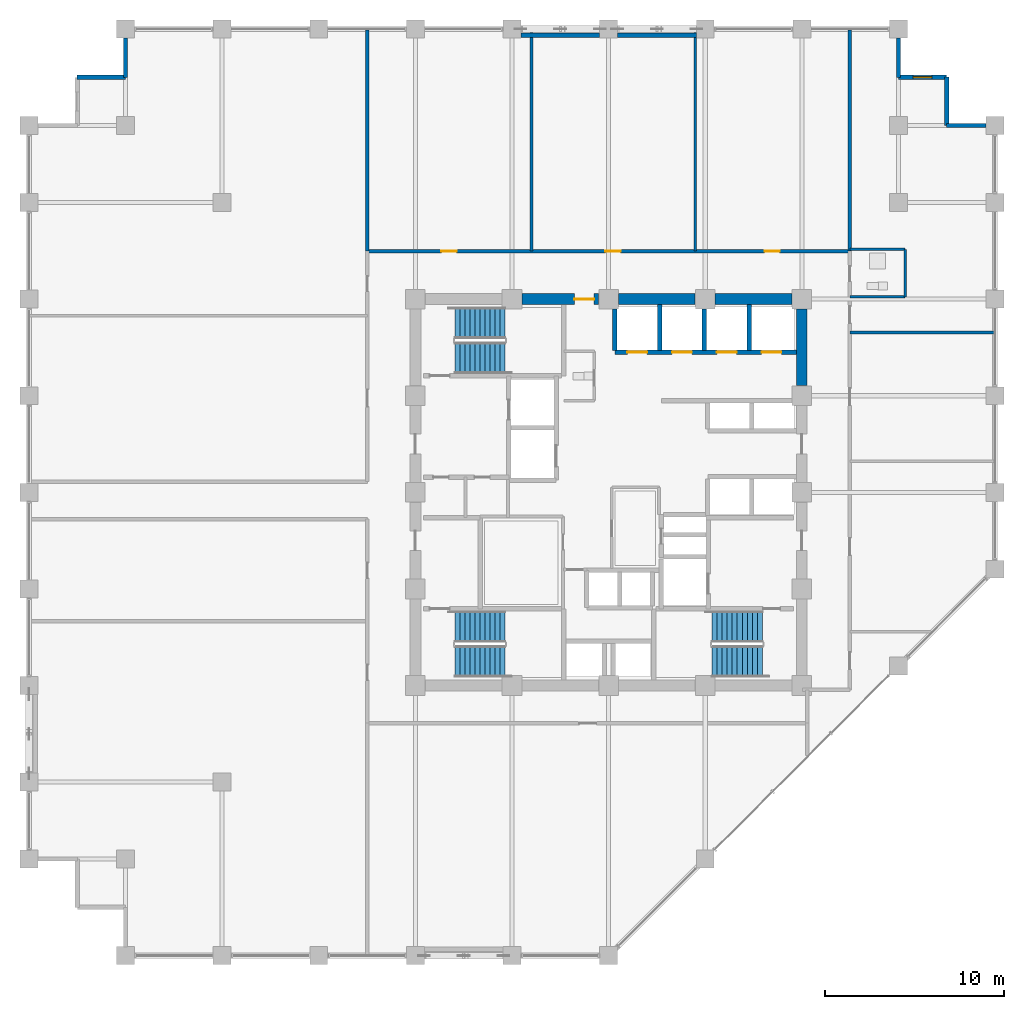
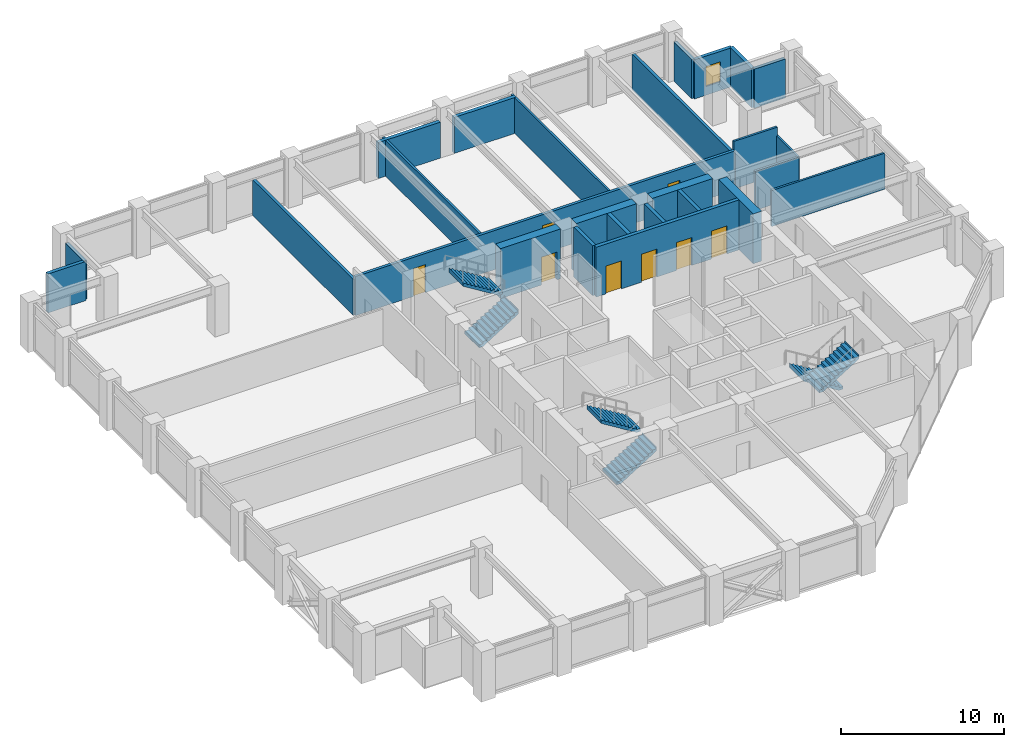
# One storey, part 21 of 23: 26 walls, 8 doors, 6 stair flights, 1 window, 9 openings, 3 elements without a shape of their own.
"""IFC4 building model written with IfcOpenShell, lengths in metres."""

from ifc_helpers import new_model, si_unit, direction, frame, frame_2d, origin, place, context, subcontext, project, spatial, polyline, rectangle, outline, extrude, material, layer, layer_set, type_object, element, fill, aggregate, save


model = new_model("IFC4")

# Units and contexts
model_context = context("Model", 3, precision=1e-05, world=origin(), true_north=direction((0.0, 1.0)))
body_context = subcontext(model_context, "Body", "Model", "MODEL_VIEW")
ifc_project = project(units=[si_unit("LENGTHUNIT", "METRE"), si_unit("AREAUNIT", "SQUARE_METRE"), si_unit("VOLUMEUNIT", "CUBIC_METRE"), si_unit("PLANEANGLEUNIT", "RADIAN"), si_unit("MASSUNIT", "GRAM", prefix="KILO")], contexts=[model_context])

# Site, building, storey
site_placement = place(None, origin())
site = spatial("IfcSite", under=ifc_project, at=site_placement, CompositionType="ELEMENT")
building_placement = place(site_placement, origin())
building = spatial("IfcBuilding", under=site, at=building_placement, Name="Surkhivell Harbour Commons", CompositionType="ELEMENT")
storey_placement = place(building_placement, frame((0.0, 0.0, 128.25)))
storey = spatial("IfcBuildingStorey", under=building, at=storey_placement, Name="L33", CompositionType="ELEMENT", Elevation=128.25)

# Wall, opening, door
ifc_material_1 = material(Name="Concrete C60/75", Category="concrete")
ifc_layer_1 = layer(ifc_material_1, 0.60009765625)
ifc_layer_set_1 = layer_set([ifc_layer_1], Name="Concrete C60/75")
wall_type_1 = type_object("IfcWallType", Name="WAL-CORE-600", PredefinedType="SHEAR", material=ifc_layer_set_1)
wall_1_placement = place(storey_placement, frame((-4.840087890625, 10.800048828125, 0.0), z_axis=(0.0, 0.0, 1.0), x_axis=(1.0, 0.0, 0.0)))
wall_1 = element("IfcWall", 1, at=wall_1_placement, inside=storey, type_object=wall_type_1, Name="L33 Core Shear Wall North 2", PredefinedType="SHEAR", context=body_context, shape_type="SweptSolid", body=[
    extrude(rectangle(XDim=4.280029296875, YDim=0.60009765625, at=frame_2d((2.14013671875, 0.0))), origin(), (0.0, 0.0, 1.0), 3.75),
])
opening_1_placement = place(wall_1_placement, frame((2.929931640625, 0.0, 0.0)))
opening_1 = element("IfcOpeningElement", 2, at=opening_1_placement, cuts=wall_1, Name="Opening ID-2", PredefinedType="OPENING", context=body_context, shape_type="SweptSolid", body=[
    extrude(rectangle(XDim=1.10009765625, YDim=2.10009765625, at=frame_2d((0.550048828125, 1.050048828125))), frame((0.0, 0.31005859375, 0.0), z_axis=(0.0, -1.0, 0.0), x_axis=(1.0, 0.0, 0.0)), (0.0, 0.0, 1.0), 0.6201171875),
])
ifc_material_2 = material(Name="Hardwood-veneered fire-rated door leaf", Category="wood")
door_type_1 = type_object("IfcDoorType", Name="DOR-FD60-1100", OperationType="NOTDEFINED", PredefinedType="DOOR", material=ifc_material_2)
door_1_placement = place(opening_1_placement, origin())
door_1 = element("IfcDoor", 3, at=door_1_placement, inside=storey, type_object=door_type_1, Name="L33 Central Core Lift Hall North Corridor Door", OperationType="SINGLE_SWING_LEFT", OverallHeight=2.10009765625, OverallWidth=1.10009765625, PredefinedType="DOOR", context=body_context, shape_type="SweptSolid", body=[
    extrude(rectangle(XDim=1.10009765625, YDim=2.10009765625, at=frame_2d((0.550048828125, 1.050048828125))), frame((0.0, 0.02490234375, 0.0), z_axis=(0.0, -1.0, 0.0), x_axis=(1.0, 0.0, 0.0)), (0.0, 0.0, 1.0), 0.050048828125),
])
fill(opening_1, door_1)

# Walls
for number, where, z_axis, x_axis, name in (
    (4, (0.56005859375, 10.800048828125, 0.0), (0.0, 0.0, 1.0), (1.0, 0.0, 0.0), "L33 Core Shear Wall North 3"),
    (5, (5.9599609375, 10.800048828125, 0.0), (0.0, 0.0, 1.0), (1.0, 0.0, 0.0), "L33 Core Shear Wall North 4"),
    (6, (10.800048828125, 5.9599609375, 0.0), (0.0, 0.0, 1.0), (0.0, 1.0, 0.0), "L33 Core Shear Wall East 4"),
):
    element("IfcWall", number, at=place(storey_placement, frame(where, z_axis=z_axis, x_axis=x_axis)), inside=storey, type_object=wall_type_1, Name=name, PredefinedType="SHEAR", context=body_context, shape_type="SweptSolid", body=[
        extrude(rectangle(XDim=4.280029296875, YDim=0.60009765625, at=frame_2d((2.14013671875, 0.0))), origin(), (0.0, 0.0, 1.0), 3.75),
    ])
ifc_material_3 = material(Name="Pale-metal insulated precast concrete C45/55", Category="concrete")
ifc_layer_2 = layer(ifc_material_3, 0.260009765625)
ifc_layer_set_2 = layer_set([ifc_layer_2], Name="Pale-metal insulated precast concrete C45/55")
wall_type_2 = type_object("IfcWallType", Name="WAL-EXT-MTL260", PredefinedType="STANDARD", material=ifc_layer_set_2)
for number, where, z_axis, x_axis, name in (
    (7, (-0.498046875, 25.5400390625, 0.0), (0.0, 0.0, 1.0), (-1.0, 0.0, 0.0), "L33 Braced-Bay Insulated Spandrel Backing N"),
    (8, (4.902099609375, 25.5400390625, 0.0), (0.0, 0.0, 1.0), (-1.0, 0.0, 0.0), "L33 Braced-Bay Insulated Spandrel Backing N2"),
):
    element("IfcWall", number, at=place(storey_placement, frame(where, z_axis=z_axis, x_axis=x_axis)), inside=storey, type_object=wall_type_2, Name=name, PredefinedType="STANDARD", context=body_context, shape_type="SweptSolid", body=[
        extrude(rectangle(XDim=4.404052734375, YDim=0.260009765625, at=frame_2d((2.2021484375, 0.0))), origin(), (0.0, 0.0, 1.0), 2.698974609375),
    ])
ifc_material_4 = material(Name="Bronze-ochre cassette precast concrete C45/55", Category="concrete")
ifc_layer_3 = layer(ifc_material_4, 0.239990234375)
ifc_layer_set_3 = layer_set([ifc_layer_3], Name="Bronze-ochre cassette precast concrete C45/55")
wall_type_3 = type_object("IfcWallType", Name="WAL-EXT-OCH240", PredefinedType="STANDARD", material=ifc_layer_set_3)
wall_2_placement = place(storey_placement, frame((21.10205078125, 20.5, 0.0), z_axis=(0.0, 0.0, 1.0), x_axis=(-1.0, 0.0, 0.0)))
element("IfcWall", 9, at=wall_2_placement, inside=storey, type_object=wall_type_3, Name="L33 Serrated Corner Facade Wall 03", PredefinedType="STANDARD", context=body_context, shape_type="SweptSolid", body=[
    extrude(rectangle(XDim=2.2021484375, YDim=0.239990234375, at=frame_2d((1.10107421875, 0.0))), origin(), (0.0, 0.0, 1.0), 2.93310546875),
])
wall_3_placement = place(storey_placement, frame((18.89990234375, 20.5, 0.0), z_axis=(0.0, 0.0, 1.0), x_axis=(0.0, 1.0, 0.0)))
element("IfcWall", 10, at=wall_3_placement, inside=storey, type_object=wall_type_3, Name="L33 Serrated Corner Facade Wall 04", PredefinedType="STANDARD", context=body_context, shape_type="SweptSolid", body=[
    extrude(rectangle(XDim=2.699951171875, YDim=0.239990234375, at=frame_2d((1.35009765625, 0.0))), origin(), (0.0, 0.0, 1.0), 2.93310546875),
])

# Wall, opening, window
wall_4_placement = place(storey_placement, frame((18.89990234375, 23.199951171875, 0.0), z_axis=(0.0, 0.0, 1.0), x_axis=(-1.0, 0.0, 0.0)))
wall_4 = element("IfcWall", 11, at=wall_4_placement, inside=storey, type_object=wall_type_3, Name="L33 Serrated Corner Facade Wall 05", PredefinedType="STANDARD", context=body_context, shape_type="SweptSolid", body=[
    extrude(rectangle(XDim=2.699951171875, YDim=0.239990234375, at=frame_2d((1.35009765625, 0.0))), origin(), (0.0, 0.0, 1.0), 2.93310546875),
])
opening_2_placement = place(wall_4_placement, frame((0.824951171875, 0.0, 0.64990234375)))
opening_2 = element("IfcOpeningElement", 12, at=opening_2_placement, cuts=wall_4, Name="Opening WN-11", PredefinedType="OPENING", context=body_context, shape_type="SweptSolid", body=[
    extrude(rectangle(XDim=1.050048828125, YDim=1.5, at=frame_2d((0.52490234375, 0.75))), frame((0.0, 0.1298828125, 0.0), z_axis=(0.0, -1.0, 0.0), x_axis=(1.0, 0.0, 0.0)), (0.0, 0.0, 1.0), 0.260009765625),
])
ifc_material_5 = material(Name="Thermal-break aluminium frame and double low-E glazing", Category="aluminium")
window_type = type_object("IfcWindowType", Name="WIN-SER-1050x1500", PartitioningType="SINGLE_PANEL", PredefinedType="WINDOW", material=ifc_material_5)
window_placement = place(opening_2_placement, origin())
window = element("IfcWindow", 13, at=window_placement, inside=storey, type_object=window_type, Name="L33 Serrated Alcove Window 05", OverallHeight=1.5, OverallWidth=1.050048828125, PartitioningType="SINGLE_PANEL", PredefinedType="WINDOW", context=body_context, shape_type="SweptSolid", body=[
    extrude(rectangle(XDim=1.050048828125, YDim=1.5, at=frame_2d((0.52490234375, 0.75))), frame((0.0, 0.030029296875, 0.0), z_axis=(0.0, -1.0, 0.0), x_axis=(1.0, 0.0, 0.0)), (0.0, 0.0, 1.0), 0.06005859375),
])
fill(opening_2, window)

# Walls
for number, where, z_axis, x_axis, name in (
    (14, (16.199951171875, 23.199951171875, 0.0), (0.0, 0.0, 1.0), (0.0, 1.0, 0.0), "L33 Serrated Corner Facade Wall 06"),
    (15, (-27.0, 25.402099609375, 0.0), (0.0, 0.0, 1.0), (0.0, -1.0, 0.0), "L33 Serrated Corner Facade Wall 08"),
):
    element("IfcWall", number, at=place(storey_placement, frame(where, z_axis=z_axis, x_axis=x_axis)), inside=storey, type_object=wall_type_3, Name=name, PredefinedType="STANDARD", context=body_context, shape_type="SweptSolid", body=[
        extrude(rectangle(XDim=2.2021484375, YDim=0.239990234375, at=frame_2d((1.10107421875, 0.0))), origin(), (0.0, 0.0, 1.0), 2.93310546875),
    ])
wall_5_placement = place(storey_placement, frame((-27.0, 23.199951171875, 0.0), z_axis=(0.0, 0.0, 1.0), x_axis=(-1.0, 0.0, 0.0)))
element("IfcWall", 16, at=wall_5_placement, inside=storey, type_object=wall_type_3, Name="L33 Serrated Corner Facade Wall 09", PredefinedType="STANDARD", context=body_context, shape_type="SweptSolid", body=[
    extrude(rectangle(XDim=2.699951171875, YDim=0.239990234375, at=frame_2d((1.35009765625, 0.0))), origin(), (0.0, 0.0, 1.0), 2.93310546875),
])
ifc_material_6 = material(Name="Twin-stud acoustic fireboard partition", Category="other")
ifc_layer_4 = layer(ifc_material_6, 0.14990234375)
ifc_layer_set_4 = layer_set([ifc_layer_4], Name="Twin-stud acoustic fireboard partition")
wall_type_4 = type_object("IfcWallType", Name="WAL-INT-150", PredefinedType="PARTITIONING", material=ifc_layer_set_4)
wall_6_placement = place(storey_placement, frame((16.580078125, 10.929931640625, 0.0), z_axis=(0.0, 0.0, 1.0), x_axis=(0.0, 1.0, 0.0)))
element("IfcWall", 17, at=wall_6_placement, inside=storey, type_object=wall_type_4, Name="L33 East Partition BTHB", PredefinedType="PARTITIONING", context=body_context, shape_type="SweptSolid", body=[
    extrude(rectangle(XDim=2.650146484375, YDim=0.14990234375, at=frame_2d((1.3251953125, 0.0))), origin(), (0.0, 0.0, 1.0), 2.93310546875),
])
wall_7_placement = place(storey_placement, frame((13.47998046875, 13.580078125, 0.0), z_axis=(0.0, 0.0, 1.0), x_axis=(1.0, 0.0, 0.0)))
element("IfcWall", 18, at=wall_7_placement, inside=storey, type_object=wall_type_4, Name="L33 East Partition BTHN", PredefinedType="PARTITIONING", context=body_context, shape_type="SweptSolid", body=[
    extrude(rectangle(XDim=3.10009765625, YDim=0.14990234375, at=frame_2d((1.550048828125, 0.0))), origin(), (0.0, 0.0, 1.0), 3.570068359375),
])
wall_8_placement = place(storey_placement, frame((13.47998046875, 10.929931640625, 0.0), z_axis=(0.0, 0.0, 1.0), x_axis=(1.0, 0.0, 0.0)))
element("IfcWall", 19, at=wall_8_placement, inside=storey, type_object=wall_type_4, Name="L33 East Partition BTHS", PredefinedType="PARTITIONING", context=body_context, shape_type="SweptSolid", body=[
    extrude(rectangle(XDim=3.10009765625, YDim=0.14990234375, at=frame_2d((1.550048828125, 0.0))), origin(), (0.0, 0.0, 1.0), 2.93310546875),
])
wall_9_placement = place(storey_placement, frame((13.47998046875, 8.929931640625, 0.0), z_axis=(0.0, 0.0, 1.0), x_axis=(1.0, 0.0, 0.0)))
element("IfcWall", 20, at=wall_9_placement, inside=storey, type_object=wall_type_4, Name="L33 East Partition PTOP", PredefinedType="PARTITIONING", context=body_context, shape_type="SweptSolid", body=[
    extrude(rectangle(XDim=8.06005859375, YDim=0.14990234375, at=frame_2d((4.030029296875, 0.0))), origin(), (0.0, 0.0, 1.0), 2.698974609375),
])
for number, where, z_axis, x_axis, name in (
    (21, (-4.31005859375, 13.47998046875, 0.0), (0.0, 0.0, 1.0), (0.0, 1.0, 0.0), "L33 North Partition P1"),
    (22, (4.85009765625, 13.47998046875, 0.0), (0.0, 0.0, 1.0), (0.0, 1.0, 0.0), "L33 North Partition P2"),
):
    element("IfcWall", number, at=place(storey_placement, frame(where, z_axis=z_axis, x_axis=x_axis)), inside=storey, type_object=wall_type_4, Name=name, PredefinedType="PARTITIONING", context=body_context, shape_type="SweptSolid", body=[
        extrude(rectangle(XDim=12.360107421875, YDim=0.14990234375, at=frame_2d((6.18017578125, 0.0))), origin(), (0.0, 0.0, 1.0), 2.698974609375),
    ])
ifc_material_7 = material(Name="Autoclaved aerated concrete blockwork and fire plaster", Category="masonry")
ifc_layer_5 = layer(ifc_material_7, 0.199951171875)
ifc_layer_set_5 = layer_set([ifc_layer_5], Name="Autoclaved aerated concrete blockwork and fire plaster")
wall_type_5 = type_object("IfcWallType", Name="WAL-INT-200", PredefinedType="PARTITIONING", material=ifc_layer_set_5)
for number, where, z_axis, x_axis, name in (
    (23, (13.47998046875, 13.47998046875, 0.0), (0.0, 0.0, 1.0), (0.0, 1.0, 0.0), "L33 North-East Wing Corner Divider"),
    (24, (-13.47998046875, 13.47998046875, 0.0), (0.0, 0.0, 1.0), (0.0, 1.0, 0.0), "L33 North-West Wing Corner Divider"),
):
    element("IfcWall", number, at=place(storey_placement, frame(where, z_axis=z_axis, x_axis=x_axis)), inside=storey, type_object=wall_type_5, Name=name, PredefinedType="PARTITIONING", context=body_context, shape_type="SweptSolid", body=[
        extrude(rectangle(XDim=12.360107421875, YDim=0.199951171875, at=frame_2d((6.18017578125, 0.0))), origin(), (0.0, 0.0, 1.0), 2.698974609375),
    ])

# Wall, openings, doors
wall_10_placement = place(storey_placement, frame((-13.47998046875, 13.47998046875, 0.0), z_axis=(0.0, 0.0, 1.0), x_axis=(1.0, 0.0, 0.0)))
wall_10 = element("IfcWall", 25, at=wall_10_placement, inside=storey, type_object=wall_type_5, Name="L33 Corridor North Wall", PredefinedType="PARTITIONING", context=body_context, shape_type="SweptSolid", body=[
    extrude(rectangle(XDim=26.9599609375, YDim=0.199951171875, at=frame_2d((13.47998046875, 0.0))), origin(), (0.0, 0.0, 1.0), 2.93310546875),
])
opening_3_placement = place(wall_10_placement, frame((4.135009765625, 0.0, 0.0)))
opening_3 = element("IfcOpeningElement", 26, at=opening_3_placement, cuts=wall_10, Name="Opening ID-6", PredefinedType="OPENING", context=body_context, shape_type="SweptSolid", body=[
    extrude(rectangle(XDim=0.85009765625, YDim=2.10009765625, at=frame_2d((0.425048828125, 1.050048828125))), frame((0.0, 0.10986328125, 0.0), z_axis=(0.0, -1.0, 0.0), x_axis=(1.0, 0.0, 0.0)), (0.0, 0.0, 1.0), 0.219970703125),
])
opening_4_placement = place(wall_10_placement, frame((13.300048828125, 0.0, 0.0)))
opening_4 = element("IfcOpeningElement", 27, at=opening_4_placement, cuts=wall_10, Name="Opening ID-6", PredefinedType="OPENING", context=body_context, shape_type="SweptSolid", body=[
    extrude(rectangle(XDim=0.85009765625, YDim=2.10009765625, at=frame_2d((0.425048828125, 1.050048828125))), frame((0.0, 0.10986328125, 0.0), z_axis=(0.0, -1.0, 0.0), x_axis=(1.0, 0.0, 0.0)), (0.0, 0.0, 1.0), 0.219970703125),
])
opening_5_placement = place(wall_10_placement, frame((22.195068359375, 0.0, 0.0)))
opening_5 = element("IfcOpeningElement", 28, at=opening_5_placement, cuts=wall_10, Name="Opening ID-6", PredefinedType="OPENING", context=body_context, shape_type="SweptSolid", body=[
    extrude(rectangle(XDim=0.85009765625, YDim=2.10009765625, at=frame_2d((0.425048828125, 1.050048828125))), frame((0.0, 0.10986328125, 0.0), z_axis=(0.0, -1.0, 0.0), x_axis=(1.0, 0.0, 0.0)), (0.0, 0.0, 1.0), 0.219970703125),
])
door_type_2 = type_object("IfcDoorType", Name="DOR-FD30-850", OperationType="NOTDEFINED", PredefinedType="DOOR", material=ifc_material_2)
door_2_placement = place(opening_3_placement, origin())
door_2 = element("IfcDoor", 29, at=door_2_placement, inside=storey, type_object=door_type_2, Name="L33 Academic Seminar Room 1 North Door", OperationType="SINGLE_SWING_LEFT", OverallHeight=2.10009765625, OverallWidth=0.85009765625, PredefinedType="DOOR", context=body_context, shape_type="SweptSolid", body=[
    extrude(rectangle(XDim=0.85009765625, YDim=2.10009765625, at=frame_2d((0.425048828125, 1.050048828125))), frame((0.0, 0.02490234375, 0.0), z_axis=(0.0, -1.0, 0.0), x_axis=(1.0, 0.0, 0.0)), (0.0, 0.0, 1.0), 0.050048828125),
])
fill(opening_3, door_2)
door_3_placement = place(opening_4_placement, origin())
door_3 = element("IfcDoor", 30, at=door_3_placement, inside=storey, type_object=door_type_2, Name="L33 Academic Seminar Room 2 North Door", OperationType="SINGLE_SWING_RIGHT", OverallHeight=2.10009765625, OverallWidth=0.85009765625, PredefinedType="DOOR", context=body_context, shape_type="SweptSolid", body=[
    extrude(rectangle(XDim=0.85009765625, YDim=2.10009765625, at=frame_2d((0.425048828125, 1.050048828125))), frame((0.0, 0.02490234375, 0.0), z_axis=(0.0, -1.0, 0.0), x_axis=(1.0, 0.0, 0.0)), (0.0, 0.0, 1.0), 0.050048828125),
])
fill(opening_4, door_3)
door_4_placement = place(opening_5_placement, origin())
door_4 = element("IfcDoor", 31, at=door_4_placement, inside=storey, type_object=door_type_2, Name="L33 Academic Seminar Room 3 North Door", OperationType="SINGLE_SWING_LEFT", OverallHeight=2.10009765625, OverallWidth=0.85009765625, PredefinedType="DOOR", context=body_context, shape_type="SweptSolid", body=[
    extrude(rectangle(XDim=0.85009765625, YDim=2.10009765625, at=frame_2d((0.425048828125, 1.050048828125))), frame((0.0, 0.02490234375, 0.0), z_axis=(0.0, -1.0, 0.0), x_axis=(1.0, 0.0, 0.0)), (0.0, 0.0, 1.0), 0.050048828125),
])
fill(opening_5, door_4)

# Walls
ifc_material_8 = material(Name="Concrete C50/60", Category="concrete")
ifc_layer_6 = layer(ifc_material_8, 0.25)
ifc_layer_set_6 = layer_set([ifc_layer_6], Name="Concrete C50/60")
wall_type_6 = type_object("IfcWallType", Name="WAL-SHAFT-250", PredefinedType="SHEAR", material=ifc_layer_set_6)
wall_11_placement = place(storey_placement, frame((2.85009765625, 7.93994140625, 0.0), z_axis=(0.0, 0.0, 1.0), x_axis=(0.0, 1.0, 0.0)))
element("IfcWall", 32, at=wall_11_placement, inside=storey, type_object=wall_type_6, Name="L33 Low-Rise Hoistway Wall", PredefinedType="SHEAR", context=body_context, shape_type="SweptSolid", body=[
    extrude(rectangle(XDim=2.56005859375, YDim=0.25, at=frame_2d((1.280029296875, 0.0))), origin(), (0.0, 0.0, 1.0), 3.75),
])
for number, where, z_axis, x_axis, name in (
    (33, (0.35009765625, 7.93994140625, 0.0), (0.0, 0.0, 1.0), (0.0, 1.0, 0.0), "L33 Low-Rise Hoistway Wall"),
    (34, (5.35009765625, 7.93994140625, 0.0), (0.0, 0.0, 1.0), (0.0, 1.0, 0.0), "L33 Low-Rise Hoistway Wall"),
):
    element("IfcWall", number, at=place(storey_placement, frame(where, z_axis=z_axis, x_axis=x_axis)), inside=storey, type_object=wall_type_6, Name=name, PredefinedType="SHEAR", context=body_context, shape_type="SweptSolid", body=[
        extrude(rectangle(XDim=2.31005859375, YDim=0.25, at=frame_2d((1.155029296875, 0.0))), origin(), (0.0, 0.0, 1.0), 3.75),
    ])
wall_12_placement = place(storey_placement, frame((7.85009765625, 7.93994140625, 0.0), z_axis=(0.0, 0.0, 1.0), x_axis=(0.0, 1.0, 0.0)))
element("IfcWall", 35, at=wall_12_placement, inside=storey, type_object=wall_type_6, Name="L33 Low-Rise Hoistway Wall", PredefinedType="SHEAR", context=body_context, shape_type="SweptSolid", body=[
    extrude(rectangle(XDim=2.56005859375, YDim=0.25, at=frame_2d((1.280029296875, 0.0))), origin(), (0.0, 0.0, 1.0), 3.75),
])

# Wall, openings, doors
wall_13_placement = place(storey_placement, frame((0.35009765625, 7.820068359375, 0.0), z_axis=(0.0, 0.0, 1.0), x_axis=(1.0, 0.0, 0.0)))
wall_13 = element("IfcWall", 36, at=wall_13_placement, inside=storey, type_object=wall_type_6, Name="L33 Low-Rise Lift Front Shaft Wall", PredefinedType="SHEAR", context=body_context, shape_type="SweptSolid", body=[
    extrude(rectangle(XDim=10.14990234375, YDim=0.25, at=frame_2d((5.074951171875, 0.0))), origin(), (0.0, 0.0, 1.0), 3.75),
])
opening_6_placement = place(wall_13_placement, frame((0.699951171875, 0.0, 0.0)))
opening_6 = element("IfcOpeningElement", 37, at=opening_6_placement, cuts=wall_13, Name="Opening LD-1", PredefinedType="OPENING", context=body_context, shape_type="SweptSolid", body=[
    extrude(rectangle(XDim=1.10009765625, YDim=2.10009765625, at=frame_2d((0.550048828125, 1.050048828125))), frame((0.0, 0.135009765625, 0.0), z_axis=(0.0, -1.0, 0.0), x_axis=(1.0, 0.0, 0.0)), (0.0, 0.0, 1.0), 0.27001953125),
])
opening_7_placement = place(wall_13_placement, frame((3.199951171875, 0.0, 0.0)))
opening_7 = element("IfcOpeningElement", 38, at=opening_7_placement, cuts=wall_13, Name="Opening LD-1", PredefinedType="OPENING", context=body_context, shape_type="SweptSolid", body=[
    extrude(rectangle(XDim=1.10009765625, YDim=2.10009765625, at=frame_2d((0.550048828125, 1.050048828125))), frame((0.0, 0.135009765625, 0.0), z_axis=(0.0, -1.0, 0.0), x_axis=(1.0, 0.0, 0.0)), (0.0, 0.0, 1.0), 0.27001953125),
])
opening_8_placement = place(wall_13_placement, frame((5.699951171875, 0.0, 0.0)))
opening_8 = element("IfcOpeningElement", 39, at=opening_8_placement, cuts=wall_13, Name="Opening LD-1", PredefinedType="OPENING", context=body_context, shape_type="SweptSolid", body=[
    extrude(rectangle(XDim=1.10009765625, YDim=2.10009765625, at=frame_2d((0.550048828125, 1.050048828125))), frame((0.0, 0.135009765625, 0.0), z_axis=(0.0, -1.0, 0.0), x_axis=(1.0, 0.0, 0.0)), (0.0, 0.0, 1.0), 0.27001953125),
])
opening_9_placement = place(wall_13_placement, frame((8.199951171875, 0.0, 0.0)))
opening_9 = element("IfcOpeningElement", 40, at=opening_9_placement, cuts=wall_13, Name="Opening LD-1", PredefinedType="OPENING", context=body_context, shape_type="SweptSolid", body=[
    extrude(rectangle(XDim=1.10009765625, YDim=2.10009765625, at=frame_2d((0.550048828125, 1.050048828125))), frame((0.0, 0.135009765625, 0.0), z_axis=(0.0, -1.0, 0.0), x_axis=(1.0, 0.0, 0.0)), (0.0, 0.0, 1.0), 0.27001953125),
])
ifc_material_9 = material(Name="Brushed stainless steel S355", Category="steel")
door_type_3 = type_object("IfcDoorType", Name="DOR-LD-1100", OperationType="SLIDING_TO_LEFT", PredefinedType="DOOR", material=ifc_material_9)
door_5_placement = place(opening_6_placement, origin())
door_5 = element("IfcDoor", 41, at=door_5_placement, inside=storey, type_object=door_type_3, Name="L33 Lift Landing Door LD-PL1", OperationType="SLIDING_TO_LEFT", OverallHeight=2.10009765625, OverallWidth=1.10009765625, PredefinedType="DOOR", context=body_context, shape_type="SweptSolid", body=[
    extrude(rectangle(XDim=1.10009765625, YDim=2.10009765625, at=frame_2d((0.550048828125, 1.050048828125))), frame((0.0, 0.02490234375, 0.0), z_axis=(0.0, -1.0, 0.0), x_axis=(1.0, 0.0, 0.0)), (0.0, 0.0, 1.0), 0.050048828125),
])
fill(opening_6, door_5)
door_6_placement = place(opening_7_placement, origin())
door_6 = element("IfcDoor", 42, at=door_6_placement, inside=storey, type_object=door_type_3, Name="L33 Lift Landing Door LD-PL2", OperationType="SLIDING_TO_LEFT", OverallHeight=2.10009765625, OverallWidth=1.10009765625, PredefinedType="DOOR", context=body_context, shape_type="SweptSolid", body=[
    extrude(rectangle(XDim=1.10009765625, YDim=2.10009765625, at=frame_2d((0.550048828125, 1.050048828125))), frame((0.0, 0.02490234375, 0.0), z_axis=(0.0, -1.0, 0.0), x_axis=(1.0, 0.0, 0.0)), (0.0, 0.0, 1.0), 0.050048828125),
])
fill(opening_7, door_6)
door_7_placement = place(opening_8_placement, origin())
door_7 = element("IfcDoor", 43, at=door_7_placement, inside=storey, type_object=door_type_3, Name="L33 Lift Landing Door LD-PL3", OperationType="SLIDING_TO_LEFT", OverallHeight=2.10009765625, OverallWidth=1.10009765625, PredefinedType="DOOR", context=body_context, shape_type="SweptSolid", body=[
    extrude(rectangle(XDim=1.10009765625, YDim=2.10009765625, at=frame_2d((0.550048828125, 1.050048828125))), frame((0.0, 0.02490234375, 0.0), z_axis=(0.0, -1.0, 0.0), x_axis=(1.0, 0.0, 0.0)), (0.0, 0.0, 1.0), 0.050048828125),
])
fill(opening_8, door_7)
door_8_placement = place(opening_9_placement, origin())
door_8 = element("IfcDoor", 44, at=door_8_placement, inside=storey, type_object=door_type_3, Name="L33 Lift Landing Door LD-PL4", OperationType="SLIDING_TO_LEFT", OverallHeight=2.10009765625, OverallWidth=1.10009765625, PredefinedType="DOOR", context=body_context, shape_type="SweptSolid", body=[
    extrude(rectangle(XDim=1.10009765625, YDim=2.10009765625, at=frame_2d((0.550048828125, 1.050048828125))), frame((0.0, 0.02490234375, 0.0), z_axis=(0.0, -1.0, 0.0), x_axis=(1.0, 0.0, 0.0)), (0.0, 0.0, 1.0), 0.050048828125),
])
fill(opening_9, door_8)

# Stair, stair flights
ifc_material_10 = material(Name="Precast concrete C45/55", Category="concrete")
stair_type = type_object("IfcStairType", Name="STR-DL-375", PredefinedType="HALF_TURN_STAIR", material=ifc_material_10)
stair_1_placement = place(storey_placement, origin())
stair_1 = element("IfcStair", 45, at=stair_1_placement, inside=storey, type_object=stair_type, Name="L33 Core Exit Stair ST1", PredefinedType="HALF_TURN_STAIR")
stair_flight_type = type_object("IfcStairFlightType", Name="STF-DL-375", PredefinedType="STRAIGHT", material=ifc_material_10)
stair_flight_1_placement = place(storey_placement, frame((-8.590087890625, 7.514892578125, 0.0), z_axis=(0.0, 0.0, 1.0), x_axis=(1.0, 0.0, 0.0)))
stair_flight_1 = element("IfcStairFlight", 46, at=stair_flight_1_placement, type_object=stair_flight_type, Name="ST1 flight 1", NumberOfRisers=11, NumberOfTreads=10, PredefinedType="STRAIGHT", RiserHeight=0.170454545, TreadLength=0.28, context=body_context, shape_type="SweptSolid", body=[
    extrude(outline(polyline([(-0.0029296875, -0.034912109375), (-0.0029296875, 0.0), (0.0, 0.0), (0.0, 0.17041015625), (0.280029296875, 0.17041015625), (0.280029296875, 0.3408203125), (0.56005859375, 0.3408203125), (0.56005859375, 0.511474609375), (0.840087890625, 0.511474609375), (0.840087890625, 0.681884765625), (1.1201171875, 0.681884765625), (1.1201171875, 0.852294921875), (1.39990234375, 0.852294921875), (1.39990234375, 1.022705078125), (1.679931640625, 1.022705078125), (1.679931640625, 1.193115234375), (1.9599609375, 1.193115234375), (1.9599609375, 1.363525390625), (2.239990234375, 1.363525390625), (2.239990234375, 1.5341796875), (2.52001953125, 1.5341796875), (2.52001953125, 1.70458984375), (2.800048828125, 1.70458984375), (2.800048828125, 1.875), (2.802978515625, 1.875), (2.802978515625, 1.529052734375), (0.288330078125, -0.034912109375), (-0.0029296875, -0.034912109375)])), frame((0.0, 0.875, 0.0), z_axis=(0.0, -1.0, 0.0), x_axis=(1.0, 0.0, 0.0)), (0.0, 0.0, 1.0), 1.75),
])
stair_flight_2_placement = place(storey_placement, frame((-5.7900390625, 9.465087890625, 1.875), z_axis=(0.0, 0.0, 1.0), x_axis=(-1.0, 0.0, 0.0)))
stair_flight_2 = element("IfcStairFlight", 47, at=stair_flight_2_placement, type_object=stair_flight_type, Name="ST1 flight 2", NumberOfRisers=11, NumberOfTreads=10, PredefinedType="STRAIGHT", RiserHeight=0.170454545, TreadLength=0.28, context=body_context, shape_type="SweptSolid", body=[
    extrude(outline(polyline([(-0.0029296875, -0.034912109375), (-0.0029296875, 0.0), (0.0, 0.0), (0.0, 0.17041015625), (0.280029296875, 0.17041015625), (0.280029296875, 0.3408203125), (0.56005859375, 0.3408203125), (0.56005859375, 0.511474609375), (0.840087890625, 0.511474609375), (0.840087890625, 0.681884765625), (1.1201171875, 0.681884765625), (1.1201171875, 0.852294921875), (1.39990234375, 0.852294921875), (1.39990234375, 1.022705078125), (1.679931640625, 1.022705078125), (1.679931640625, 1.193115234375), (1.9599609375, 1.193115234375), (1.9599609375, 1.363525390625), (2.239990234375, 1.363525390625), (2.239990234375, 1.5341796875), (2.52001953125, 1.5341796875), (2.52001953125, 1.70458984375), (2.800048828125, 1.70458984375), (2.800048828125, 1.875), (2.802978515625, 1.875), (2.802978515625, 1.529052734375), (0.288330078125, -0.034912109375), (-0.0029296875, -0.034912109375)])), frame((0.0, 0.875, 0.0), z_axis=(0.0, -1.0, 0.0), x_axis=(1.0, 0.0, 0.0)), (0.0, 0.0, 1.0), 1.75),
])
aggregate(stair_1, [stair_flight_1, stair_flight_2])

stair_2_placement = place(storey_placement, origin())
stair_2 = element("IfcStair", 48, at=stair_2_placement, inside=storey, type_object=stair_type, Name="L33 Core Exit Stair ST2", PredefinedType="HALF_TURN_STAIR")
stair_flight_3_placement = place(storey_placement, frame((8.590087890625, -7.514892578125, 0.0), z_axis=(0.0, 0.0, 1.0), x_axis=(-1.0, 0.0, 0.0)))
stair_flight_3 = element("IfcStairFlight", 49, at=stair_flight_3_placement, type_object=stair_flight_type, Name="ST2 flight 1", NumberOfRisers=11, NumberOfTreads=10, PredefinedType="STRAIGHT", RiserHeight=0.170454545, TreadLength=0.28, context=body_context, shape_type="SweptSolid", body=[
    extrude(outline(polyline([(-0.0029296875, -0.034912109375), (-0.0029296875, 0.0), (0.0, 0.0), (0.0, 0.17041015625), (0.280029296875, 0.17041015625), (0.280029296875, 0.3408203125), (0.56005859375, 0.3408203125), (0.56005859375, 0.511474609375), (0.840087890625, 0.511474609375), (0.840087890625, 0.681884765625), (1.1201171875, 0.681884765625), (1.1201171875, 0.852294921875), (1.39990234375, 0.852294921875), (1.39990234375, 1.022705078125), (1.679931640625, 1.022705078125), (1.679931640625, 1.193115234375), (1.9599609375, 1.193115234375), (1.9599609375, 1.363525390625), (2.239990234375, 1.363525390625), (2.239990234375, 1.5341796875), (2.52001953125, 1.5341796875), (2.52001953125, 1.70458984375), (2.800048828125, 1.70458984375), (2.800048828125, 1.875), (2.802978515625, 1.875), (2.802978515625, 1.529052734375), (0.288330078125, -0.034912109375), (-0.0029296875, -0.034912109375)])), frame((0.0, 0.875, 0.0), z_axis=(0.0, -1.0, 0.0), x_axis=(1.0, 0.0, 0.0)), (0.0, 0.0, 1.0), 1.75),
])
stair_flight_4_placement = place(storey_placement, frame((5.7900390625, -9.465087890625, 1.875), z_axis=(0.0, 0.0, 1.0), x_axis=(1.0, 0.0, 0.0)))
stair_flight_4 = element("IfcStairFlight", 50, at=stair_flight_4_placement, type_object=stair_flight_type, Name="ST2 flight 2", NumberOfRisers=11, NumberOfTreads=10, PredefinedType="STRAIGHT", RiserHeight=0.170454545, TreadLength=0.28, context=body_context, shape_type="SweptSolid", body=[
    extrude(outline(polyline([(-0.0029296875, -0.034912109375), (-0.0029296875, 0.0), (0.0, 0.0), (0.0, 0.17041015625), (0.280029296875, 0.17041015625), (0.280029296875, 0.3408203125), (0.56005859375, 0.3408203125), (0.56005859375, 0.511474609375), (0.840087890625, 0.511474609375), (0.840087890625, 0.681884765625), (1.1201171875, 0.681884765625), (1.1201171875, 0.852294921875), (1.39990234375, 0.852294921875), (1.39990234375, 1.022705078125), (1.679931640625, 1.022705078125), (1.679931640625, 1.193115234375), (1.9599609375, 1.193115234375), (1.9599609375, 1.363525390625), (2.239990234375, 1.363525390625), (2.239990234375, 1.5341796875), (2.52001953125, 1.5341796875), (2.52001953125, 1.70458984375), (2.800048828125, 1.70458984375), (2.800048828125, 1.875), (2.802978515625, 1.875), (2.802978515625, 1.529052734375), (0.288330078125, -0.034912109375), (-0.0029296875, -0.034912109375)])), frame((0.0, 0.875, 0.0), z_axis=(0.0, -1.0, 0.0), x_axis=(1.0, 0.0, 0.0)), (0.0, 0.0, 1.0), 1.75),
])
aggregate(stair_2, [stair_flight_3, stair_flight_4])

stair_3_placement = place(storey_placement, origin())
stair_3 = element("IfcStair", 51, at=stair_3_placement, inside=storey, type_object=stair_type, Name="L33 Core Exit Stair ST3", PredefinedType="HALF_TURN_STAIR")
stair_flight_5_placement = place(storey_placement, frame((-8.590087890625, -9.465087890625, 0.0), z_axis=(0.0, 0.0, 1.0), x_axis=(1.0, 0.0, 0.0)))
stair_flight_5 = element("IfcStairFlight", 52, at=stair_flight_5_placement, type_object=stair_flight_type, Name="ST3 flight 1", NumberOfRisers=11, NumberOfTreads=10, PredefinedType="STRAIGHT", RiserHeight=0.170454545, TreadLength=0.28, context=body_context, shape_type="SweptSolid", body=[
    extrude(outline(polyline([(-0.0029296875, -0.034912109375), (-0.0029296875, 0.0), (0.0, 0.0), (0.0, 0.17041015625), (0.280029296875, 0.17041015625), (0.280029296875, 0.3408203125), (0.56005859375, 0.3408203125), (0.56005859375, 0.511474609375), (0.840087890625, 0.511474609375), (0.840087890625, 0.681884765625), (1.1201171875, 0.681884765625), (1.1201171875, 0.852294921875), (1.39990234375, 0.852294921875), (1.39990234375, 1.022705078125), (1.679931640625, 1.022705078125), (1.679931640625, 1.193115234375), (1.9599609375, 1.193115234375), (1.9599609375, 1.363525390625), (2.239990234375, 1.363525390625), (2.239990234375, 1.5341796875), (2.52001953125, 1.5341796875), (2.52001953125, 1.70458984375), (2.800048828125, 1.70458984375), (2.800048828125, 1.875), (2.802978515625, 1.875), (2.802978515625, 1.529052734375), (0.288330078125, -0.034912109375), (-0.0029296875, -0.034912109375)])), frame((0.0, 0.875, 0.0), z_axis=(0.0, -1.0, 0.0), x_axis=(1.0, 0.0, 0.0)), (0.0, 0.0, 1.0), 1.75),
])
stair_flight_6_placement = place(storey_placement, frame((-5.7900390625, -7.514892578125, 1.875), z_axis=(0.0, 0.0, 1.0), x_axis=(-1.0, 0.0, 0.0)))
stair_flight_6 = element("IfcStairFlight", 53, at=stair_flight_6_placement, type_object=stair_flight_type, Name="ST3 flight 2", NumberOfRisers=11, NumberOfTreads=10, PredefinedType="STRAIGHT", RiserHeight=0.170454545, TreadLength=0.28, context=body_context, shape_type="SweptSolid", body=[
    extrude(outline(polyline([(-0.0029296875, -0.034912109375), (-0.0029296875, 0.0), (0.0, 0.0), (0.0, 0.17041015625), (0.280029296875, 0.17041015625), (0.280029296875, 0.3408203125), (0.56005859375, 0.3408203125), (0.56005859375, 0.511474609375), (0.840087890625, 0.511474609375), (0.840087890625, 0.681884765625), (1.1201171875, 0.681884765625), (1.1201171875, 0.852294921875), (1.39990234375, 0.852294921875), (1.39990234375, 1.022705078125), (1.679931640625, 1.022705078125), (1.679931640625, 1.193115234375), (1.9599609375, 1.193115234375), (1.9599609375, 1.363525390625), (2.239990234375, 1.363525390625), (2.239990234375, 1.5341796875), (2.52001953125, 1.5341796875), (2.52001953125, 1.70458984375), (2.800048828125, 1.70458984375), (2.800048828125, 1.875), (2.802978515625, 1.875), (2.802978515625, 1.529052734375), (0.288330078125, -0.034912109375), (-0.0029296875, -0.034912109375)])), frame((0.0, 0.875, 0.0), z_axis=(0.0, -1.0, 0.0), x_axis=(1.0, 0.0, 0.0)), (0.0, 0.0, 1.0), 1.75),
])
aggregate(stair_3, [stair_flight_5, stair_flight_6])

save(model, "model.ifc")
